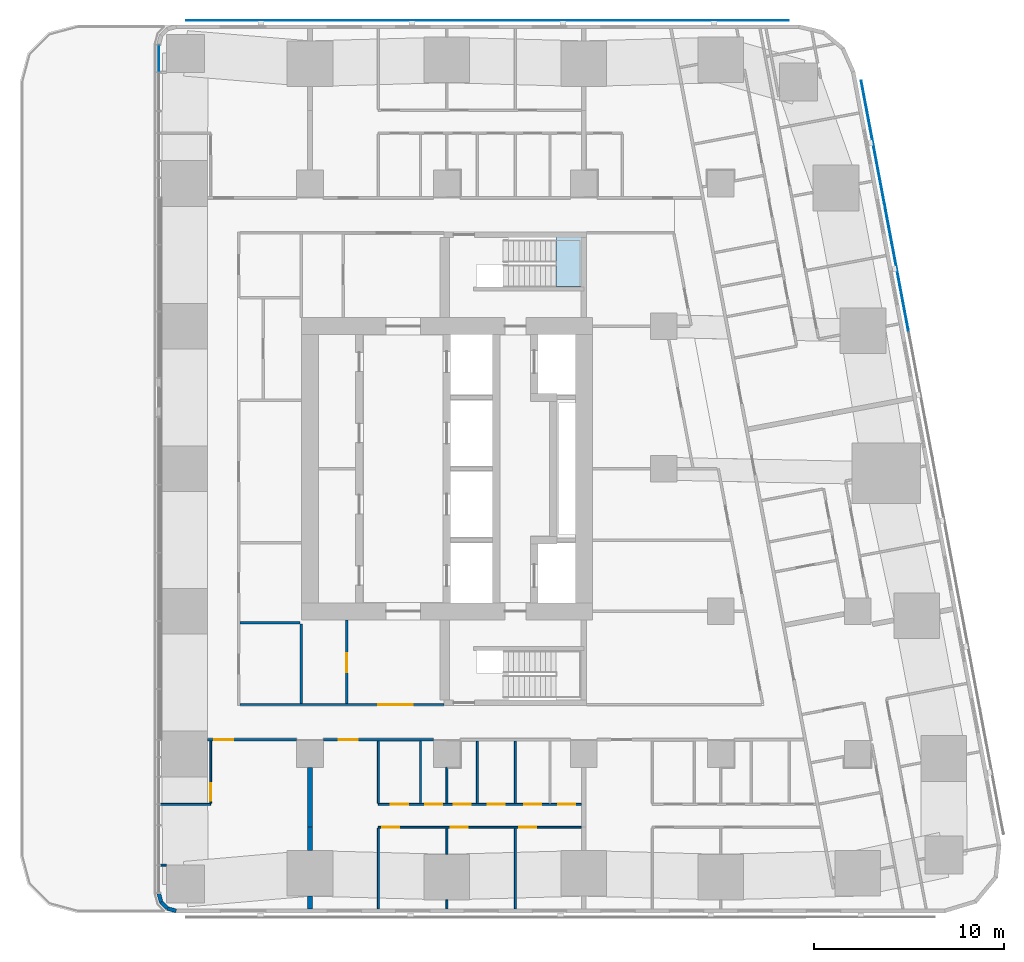
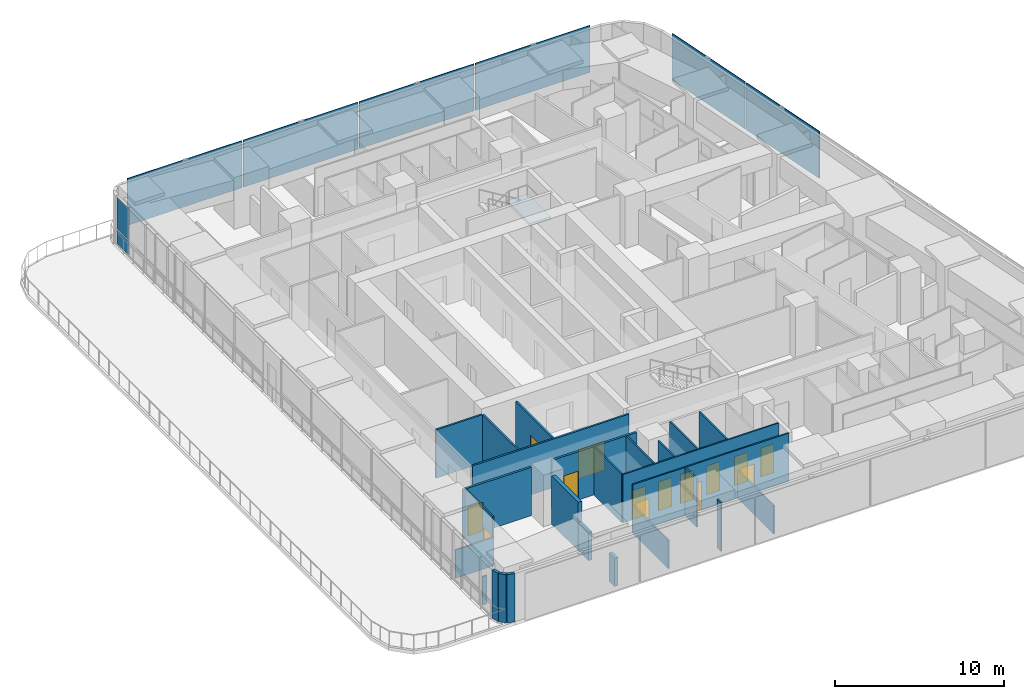
# One storey, part 7 of 17: 26 walls, 14 doors, 8 plates, 1 slab, 14 openings, 2 elements without a shape of their own.
"""IFC4 building model written with IfcOpenShell, lengths in metres."""

import ifcopenshell
import ifcopenshell.guid

model = None  # the IFC model being written
_history = None  # IfcOwnerHistory: only IFC2X3 demands one
_inside = {}  # id of a spatial element -> (the spatial element, [elements in it])
_under = {}  # id of a project, library or spatial element -> (it, [spatial elements below it])
_declared = {}  # id of a project -> (the project, [libraries it declares])
_typed = {}  # id of a type object -> (the type object, [elements of that type])
_made_of = {}  # id of a material, layer set ... -> (it, [elements and type objects made of it])


def new_model(schema):
    """Start an empty IFC model of exactly this schema.

    Asked for "IFC4X3", IfcOpenShell would pick the latest addendum, in which some entities
    have other attributes; the version numbers below select the first issue.
    IFC2X3 requires an IfcOwnerHistory on every rooted entity: one is made here for all.
    """
    global model, _history
    if schema == "IFC4X3":
        model = ifcopenshell.file(schema_version=(4, 3, 0, 0))
    else:
        model = ifcopenshell.file(schema=schema)
    _inside.clear()
    _under.clear()
    _declared.clear()
    _typed.clear()
    _made_of.clear()
    _history = None
    if model.schema == "IFC2X3":
        org = make("IfcOrganization", Name="unknown")
        user = make(
            "IfcPersonAndOrganization",
            ThePerson=make("IfcPerson", FamilyName="unknown"),
            TheOrganization=org,
        )
        app = make(
            "IfcApplication",
            ApplicationDeveloper=org,
            Version="unknown",
            ApplicationFullName="unknown",
            ApplicationIdentifier="unknown",
        )
        _history = make(
            "IfcOwnerHistory",
            OwningUser=user,
            OwningApplication=app,
            ChangeAction="ADDED",
            CreationDate=0,
        )
    return model


def make(cls, **values):
    """One entity of the class cls with the attributes given. An attribute that is None is left unset."""
    return model.create_entity(
        cls, **{name: value for name, value in values.items() if value is not None}
    )


def rooted(cls, **values):
    """An entity with a GlobalId (a new one), such as an element, a storey or a relation."""
    return make(cls, GlobalId=ifcopenshell.guid.new(), OwnerHistory=_history, **values)


def si_unit(unit_type, name, prefix=None):
    """IfcSIUnit, for example si_unit("LENGTHUNIT", "METRE", prefix="MILLI")."""
    return make("IfcSIUnit", UnitType=unit_type, Prefix=prefix, Name=name)


def assignment(units):
    """IfcUnitAssignment: the units of a project."""
    return None if units is None else make("IfcUnitAssignment", Units=units)


def point(xyz):
    """IfcCartesianPoint."""
    return None if xyz is None else make("IfcCartesianPoint", Coordinates=xyz)


def direction(xyz):
    """IfcDirection."""
    return None if xyz is None else make("IfcDirection", DirectionRatios=xyz)


def frame(location, z_axis=None, x_axis=None):
    """IfcAxis2Placement3D, a coordinate frame: its origin and axes. An axis left out is left unset."""
    return make(
        "IfcAxis2Placement3D",
        Location=point(location),
        Axis=direction(z_axis),
        RefDirection=direction(x_axis),
    )


def frame_2d(location, x_axis=None):
    """IfcAxis2Placement2D, a coordinate frame in the plane: its origin and x axis."""
    return make(
        "IfcAxis2Placement2D", Location=point(location), RefDirection=direction(x_axis)
    )


def origin():
    """The frame at (0, 0, 0) with its axes left unset."""
    return frame((0.0, 0.0, 0.0))


def origin_2d():
    """The frame at (0, 0) in the plane with its x axis left unset."""
    return frame_2d((0.0, 0.0))


def place(relative_to, where):
    """IfcLocalPlacement: puts the frame where relative to a parent placement (None: the world)."""
    return make(
        "IfcLocalPlacement", PlacementRelTo=relative_to, RelativePlacement=where
    )


def context(
    kind, dimensions, precision=None, world=None, true_north=None, identifier=None
):
    """IfcGeometricRepresentationContext, for example the 3D "Model" context."""
    return make(
        "IfcGeometricRepresentationContext",
        ContextIdentifier=identifier,
        ContextType=kind,
        CoordinateSpaceDimension=dimensions,
        Precision=precision,
        WorldCoordinateSystem=world,
        TrueNorth=true_north,
    )


def subcontext(parent, identifier, kind, view, scale=None):
    """IfcGeometricRepresentationSubContext, for example "Body" below "Model"."""
    return make(
        "IfcGeometricRepresentationSubContext",
        ContextIdentifier=identifier,
        ContextType=kind,
        ParentContext=parent,
        TargetScale=scale,
        TargetView=view,
    )


def project(units=None, contexts=None):
    """IfcProject with its units and contexts."""
    return rooted(
        "IfcProject",
        Name="project",
        RepresentationContexts=contexts,
        UnitsInContext=assignment(units),
    )


def spatial(cls, under=None, at=None, **own):
    """A site, building, storey or space (cls), placed at a placement, below another one or the project."""
    s = rooted(cls, ObjectPlacement=at, **own)
    if under is not None:
        _under.setdefault(under.id(), (under, []))[1].append(s)
    return s


def polyline(points):
    """IfcPolyline through the points."""
    return make("IfcPolyline", Points=[point(p) for p in points])


def profile(cls, at=None, kind="AREA", **sizes):
    """A parametric profile (cls). Its sizes go by their IFC names, for example OverallWidth=200.0."""
    return make(cls, ProfileType=kind, Position=at, **sizes)


def rectangle(**sizes):
    """IfcRectangleProfileDef."""
    return profile("IfcRectangleProfileDef", **sizes)


def outline(outer, holes=None, kind="AREA"):
    """IfcArbitraryClosedProfileDef: a profile drawn as a closed curve; with holes, ...WithVoids."""
    if holes is None:
        return make("IfcArbitraryClosedProfileDef", ProfileType=kind, OuterCurve=outer)
    return make(
        "IfcArbitraryProfileDefWithVoids",
        ProfileType=kind,
        OuterCurve=outer,
        InnerCurves=holes,
    )


def extrude(swept, where, along, depth):
    """IfcExtrudedAreaSolid: the profile swept, set in the frame where, extruded along a direction by depth."""
    return make(
        "IfcExtrudedAreaSolid",
        SweptArea=swept,
        Position=where,
        ExtrudedDirection=direction(along),
        Depth=depth,
    )


def shape(context_of_items, identifier, shape_type, items):
    """IfcShapeRepresentation: the items that make up one representation, for example the "Body"."""
    return make(
        "IfcShapeRepresentation",
        ContextOfItems=context_of_items,
        RepresentationIdentifier=identifier,
        RepresentationType=shape_type,
        Items=items,
    )


def material(Name=None, Category=None):
    """IfcMaterial."""
    return make("IfcMaterial", Name=Name, Category=Category)


def layer(
    of_material, thickness, ventilated=None, Name=None, Category=None, Priority=None
):
    """IfcMaterialLayer: one layer of a wall or slab, of a material (None: an air gap)."""
    return make(
        "IfcMaterialLayer",
        Material=of_material,
        LayerThickness=thickness,
        IsVentilated=ventilated,
        Name=Name,
        Category=Category,
        Priority=Priority,
    )


def layer_set(layers, Name=None):
    """IfcMaterialLayerSet."""
    return make("IfcMaterialLayerSet", MaterialLayers=layers, LayerSetName=Name)


def made_of(thing, what):
    """Note that an element or type object is made of a material, layer set ...; save() writes the relation."""
    if what is not None:
        _made_of.setdefault(what.id(), (what, []))[1].append(thing)
    return thing


def type_object(cls, material=None, **own):
    """A type object (cls), such as IfcWallType, which elements share."""
    return made_of(rooted(cls, **own), material)


def element(
    cls,
    number,
    at=None,
    inside=None,
    cuts=None,
    type_object=None,
    material=None,
    context=None,
    identifier="Body",
    shape_type=None,
    held_by="IfcProductDefinitionShape",
    body=None,
    shapes=None,
    **own,
):
    """One element of the class cls, such as IfcWall. Its Tag is "e" and its number.

    at: its placement. inside: the storey or other place that contains it. cuts: it is an
    opening in that element (IfcRelVoidsElement). A single representation is given by context,
    identifier, shape_type and body (its items); several are given by shapes. held_by: the class
    of the entity that holds the representations. save() writes the other relations.
    """
    e = rooted(cls, Tag="e%d" % number, ObjectPlacement=at, **own)
    if body is not None:
        shapes = [shape(context, identifier, shape_type, body)]
    if shapes is not None:
        e.Representation = make(held_by, Representations=shapes)
    if inside is not None:
        _inside.setdefault(inside.id(), (inside, []))[1].append(e)
    if cuts is not None:
        rooted(
            "IfcRelVoidsElement", RelatingBuildingElement=cuts, RelatedOpeningElement=e
        )
    if type_object is not None:
        _typed.setdefault(type_object.id(), (type_object, []))[1].append(e)
    return made_of(e, material)


def fill(opening, filler):
    """IfcRelFillsElement: the door or window that sits in an opening."""
    return rooted(
        "IfcRelFillsElement",
        RelatingOpeningElement=opening,
        RelatedBuildingElement=filler,
    )


def aggregate(whole, parts):
    """IfcRelAggregates: a whole, such as a stair, and the parts it consists of."""
    return rooted("IfcRelAggregates", RelatingObject=whole, RelatedObjects=parts)


def save(model, path):
    """Write the relations noted so far, then the file.

    IfcRelAggregates (storeys below a building ...), IfcRelContainedInSpatialStructure (elements
    in a storey), IfcRelDefinesByType, IfcRelAssociatesMaterial and IfcRelDeclares: one each for
    every whole, place, type object, material and project.
    """
    for whole, parts in _under.values():
        aggregate(whole, parts)
    for where, things in _inside.values():
        rooted(
            "IfcRelContainedInSpatialStructure",
            RelatedElements=things,
            RelatingStructure=where,
        )
    for kind, things in _typed.values():
        rooted("IfcRelDefinesByType", RelatedObjects=things, RelatingType=kind)
    for what, things in _made_of.values():
        rooted("IfcRelAssociatesMaterial", RelatedObjects=things, RelatingMaterial=what)
    for by, libraries in _declared.values():
        rooted("IfcRelDeclares", RelatingContext=by, RelatedDefinitions=libraries)
    model.write(path)


model = new_model("IFC4")

# Units and contexts
model_context = context("Model", 3, precision=1e-05, world=origin(), true_north=direction((0.0, 1.0)))
body_context = subcontext(model_context, "Body", "Model", "MODEL_VIEW")
ifc_project = project(units=[si_unit("LENGTHUNIT", "METRE"), si_unit("AREAUNIT", "SQUARE_METRE"), si_unit("VOLUMEUNIT", "CUBIC_METRE"), si_unit("PLANEANGLEUNIT", "RADIAN"), si_unit("MASSUNIT", "GRAM", prefix="KILO")], contexts=[model_context])

# Site, building, storey
site_placement = place(None, origin())
site = spatial("IfcSite", under=ifc_project, at=site_placement, CompositionType="ELEMENT")
building_placement = place(site_placement, origin())
building = spatial("IfcBuilding", under=site, at=building_placement, Name="Sheger Commons Tower", CompositionType="ELEMENT")
storey_placement = place(building_placement, frame((0.0, 0.0, 193.699951171875)))
storey = spatial("IfcBuildingStorey", under=building, at=storey_placement, Name="L49", CompositionType="ELEMENT", Elevation=193.699951171875)

# Curtain wall, plates
ifc_material_1 = material(Name="Black aluminium curtain wall, dark tinted glazing", Category="aluminium")
curtain_wall_type = type_object("IfcCurtainWallType", Name="CURTAIN WALL CW4 GALLERY", PredefinedType="USERDEFINED", material=ifc_material_1)
curtain_wall_placement = place(storey_placement, origin())
curtain_wall = element("IfcCurtainWall", 1, at=curtain_wall_placement, inside=storey, type_object=curtain_wall_type, Name="Curtain Wall Cw4 Gallery W1 L49", ObjectType="UNITISED CURTAIN WALL", PredefinedType="USERDEFINED")
ifc_material_2 = material(Name="Dark tinted double glazing", Category="glass")
ifc_layer_1 = layer(ifc_material_2, 0.031982421875)
ifc_layer_set_1 = layer_set([ifc_layer_1], Name="GLAZED PANEL 32")
plate_type_1 = type_object("IfcPlateType", Name="GLAZED PANEL 32", PredefinedType="CURTAIN_PANEL", material=ifc_layer_set_1)
plate_1_placement = place(storey_placement, frame((6.449951171875, 44.0751953125, 0.065185546875), z_axis=(0.0, 0.0, 1.0), x_axis=(0.0, -1.0, 0.0)))
plate_1 = element("IfcPlate", 2, at=plate_1_placement, type_object=plate_type_1, Name="CW4 panel 1.1", PredefinedType="CURTAIN_PANEL", context=body_context, shape_type="SweptSolid", body=[
    extrude(rectangle(XDim=1.3935546875, YDim=0.031982421875, at=origin_2d()), origin(), (0.0, 0.0, 1.0), 1.00244140625),
])
plate_2_placement = place(storey_placement, frame((6.449951171875, 44.0751953125, 1.13232421875), z_axis=(0.0, 0.0, 1.0), x_axis=(0.0, -1.0, 0.0)))
plate_2 = element("IfcPlate", 3, at=plate_2_placement, type_object=plate_type_1, Name="CW4 panel 1.2", PredefinedType="CURTAIN_PANEL", context=body_context, shape_type="SweptSolid", body=[
    extrude(rectangle(XDim=1.3935546875, YDim=0.031982421875, at=origin_2d()), origin(), (0.0, 0.0, 1.0), 2.302490234375),
])
aggregate(curtain_wall, [plate_1, plate_2])

# Plates
ifc_material_3 = material(Name="Perforated black anodised aluminium screen", Category="aluminium")
ifc_layer_2 = layer(ifc_material_3, 0.050048828125)
ifc_layer_set_2 = layer_set([ifc_layer_2], Name="SOLAR SCREEN SCREEN-1")
plate_type_2 = type_object("IfcPlateType", Name="SOLAR SCREEN SCREEN-1", PredefinedType="USERDEFINED", material=ifc_layer_set_2)
for number, where, z_axis, x_axis, name in (
    (4, (45.2548828125, 33.028076171875, 0.050048828125), (0.0, 0.0, 1.0), (-0.185615165645, 0.982622516678, 0.0), "Perforated solar screen panel"),
    (5, (44.0048828125, 39.64794921875, 0.050048828125), (0.0, 0.0, 1.0), (-0.185615165645, 0.982622516678, 0.0), "Perforated solar screen panel"),
):
    element("IfcPlate", number, at=place(storey_placement, frame(where, z_axis=z_axis, x_axis=x_axis)), inside=storey, type_object=plate_type_2, Name=name, ObjectType="SCREEN", PredefinedType="USERDEFINED", context=body_context, shape_type="SweptSolid", body=[
        extrude(rectangle(XDim=6.636962890625, YDim=0.050048828125, at=origin_2d()), origin(), (0.0, 0.0, 1.0), 3.39990234375),
    ])
for number, where, z_axis, x_axis, name in (
    (6, (35.64697265625, 46.074951171875, 0.050048828125), (0.0, 0.0, 1.0), (-1.0, 0.0, 0.0), "Perforated solar screen panel"),
    (7, (27.705078125, 46.074951171875, 0.050048828125), (0.0, 0.0, 1.0), (-1.0, 0.0, 0.0), "Perforated solar screen panel"),
    (8, (19.762939453125, 46.074951171875, 0.050048828125), (0.0, 0.0, 1.0), (-1.0, 0.0, 0.0), "Perforated solar screen panel"),
    (9, (11.821044921875, 46.074951171875, 0.050048828125), (0.0, 0.0, 1.0), (-1.0, 0.0, 0.0), "Perforated solar screen panel"),
):
    element("IfcPlate", number, at=place(storey_placement, frame(where, z_axis=z_axis, x_axis=x_axis)), inside=storey, type_object=plate_type_2, Name=name, ObjectType="SCREEN", PredefinedType="USERDEFINED", context=body_context, shape_type="SweptSolid", body=[
        extrude(rectangle(XDim=7.842041015625, YDim=0.050048828125, at=origin_2d()), origin(), (0.0, 0.0, 1.0), 3.39990234375),
    ])

# Stair, slab
ifc_material_4 = material(Name="Concrete C35/45", Category="concrete")
stair_type = type_object("IfcStairType", Name="HALF-TURN STAIR 1200 RISE 3750", PredefinedType="HALF_TURN_STAIR", material=ifc_material_4)
stair_placement = place(storey_placement, origin())
stair = element("IfcStair", 10, at=stair_placement, inside=storey, type_object=stair_type, Name="Stair S2 L49", PredefinedType="HALF_TURN_STAIR")
ifc_material_5 = material(Name="Concrete C35/45", Category="concrete")
ifc_layer_3 = layer(ifc_material_5, 0.199951171875)
ifc_layer_set_3 = layer_set([ifc_layer_3], Name="STAIR LANDING 200")
slab_type = type_object("IfcSlabType", Name="STAIR LANDING 200", PredefinedType="LANDING", material=ifc_layer_set_3)
slab_placement = place(storey_placement, frame((0.0, 0.0, 1.675048828125)))
slab = element("IfcSlab", 11, at=slab_placement, type_object=slab_type, Name="S2 landing 1", PredefinedType="LANDING", context=body_context, shape_type="SweptSolid", body=[
    extrude(outline(polyline([(27.35009765625, 32.050048828125), (28.800048828125, 32.050048828125), (28.800048828125, 34.800048828125), (27.35009765625, 34.800048828125), (27.35009765625, 32.050048828125)])), origin(), (0.0, 0.0, 1.0), 0.199951171875),
])
aggregate(stair, [slab])

# Wall, opening, door
ifc_material_6 = material(Name="Hollow concrete block masonry, skimmed both sides", Category="masonry")
ifc_layer_4 = layer(ifc_material_6, 0.14990234375)
ifc_layer_set_4 = layer_set([ifc_layer_4], Name="CORRIDOR WALL 150")
wall_type_1 = type_object("IfcWallType", Name="CORRIDOR WALL 150", PredefinedType="SOLIDWALL", material=ifc_layer_set_4)
wall_1_placement = place(storey_placement, frame((20.89892578125, 8.25, 0.0), z_axis=(0.0, 0.0, 1.0), x_axis=(-1.0, 0.0, 0.0)))
wall_1 = element("IfcWall", 12, at=wall_1_placement, inside=storey, type_object=wall_type_1, Name="Corridor wall L49", PredefinedType="SOLIDWALL", context=body_context, shape_type="SweptSolid", body=[
    extrude(rectangle(XDim=5.7978515625, YDim=0.14990234375, at=frame_2d((2.89892578125, 0.0))), origin(), (0.0, 0.0, 1.0), 3.5),
])
opening_1_placement = place(wall_1_placement, frame((3.9990234375, 0.0, 0.0)))
opening_1 = element("IfcOpeningElement", 13, at=opening_1_placement, cuts=wall_1, Name="Opening D1", PredefinedType="OPENING", context=body_context, shape_type="SweptSolid", body=[
    extrude(rectangle(XDim=1.0, YDim=2.10009765625, at=frame_2d((0.5, 1.050048828125))), frame((0.0, 0.0849609375, 0.0), z_axis=(0.0, -1.0, 0.0), x_axis=(1.0, 0.0, 0.0)), (0.0, 0.0, 1.0), 0.169921875),
])
ifc_material_7 = material(Name="Steel door set, fire rated", Category="steel")
door_type_1 = type_object("IfcDoorType", Name="FLAT ENTRANCE DOOR 1000x2100", OperationType="NOTDEFINED", PredefinedType="DOOR", material=ifc_material_7)
door_1_placement = place(opening_1_placement, origin())
door_1 = element("IfcDoor", 14, at=door_1_placement, inside=storey, type_object=door_type_1, Name="Flat entrance door", OperationType="SINGLE_SWING_RIGHT", OverallHeight=2.10009765625, OverallWidth=1.0, PredefinedType="DOOR", context=body_context, shape_type="SweptSolid", body=[
    extrude(rectangle(XDim=1.0, YDim=2.10009765625, at=frame_2d((0.5, 1.050048828125))), frame((0.0, 0.02490234375, 0.0), z_axis=(0.0, -1.0, 0.0), x_axis=(1.0, 0.0, 0.0)), (0.0, 0.0, 1.0), 0.050048828125),
])
fill(opening_1, door_1)

wall_2_placement = place(storey_placement, frame((13.698974609375, 8.25, 0.0), z_axis=(0.0, 0.0, 1.0), x_axis=(-1.0, 0.0, 0.0)))
wall_2 = element("IfcWall", 15, at=wall_2_placement, inside=storey, type_object=wall_type_1, Name="Corridor wall L49", PredefinedType="SOLIDWALL", context=body_context, shape_type="SweptSolid", body=[
    extrude(rectangle(XDim=4.697998046875, YDim=0.14990234375, at=frame_2d((2.34912109375, 0.0))), origin(), (0.0, 0.0, 1.0), 3.5),
])
opening_2_placement = place(wall_2_placement, frame((3.344970703125, 0.0, 0.0)))
opening_2 = element("IfcOpeningElement", 16, at=opening_2_placement, cuts=wall_2, Name="Opening D1", PredefinedType="OPENING", context=body_context, shape_type="SweptSolid", body=[
    extrude(rectangle(XDim=1.0, YDim=2.10009765625, at=frame_2d((0.5, 1.050048828125))), frame((0.0, 0.0849609375, 0.0), z_axis=(0.0, -1.0, 0.0), x_axis=(1.0, 0.0, 0.0)), (0.0, 0.0, 1.0), 0.169921875),
])
door_2_placement = place(opening_2_placement, origin())
door_2 = element("IfcDoor", 17, at=door_2_placement, inside=storey, type_object=door_type_1, Name="Flat entrance door", OperationType="SINGLE_SWING_RIGHT", OverallHeight=2.10009765625, OverallWidth=1.0, PredefinedType="DOOR", context=body_context, shape_type="SweptSolid", body=[
    extrude(rectangle(XDim=1.0, YDim=2.10009765625, at=frame_2d((0.5, 1.050048828125))), frame((0.0, 0.02490234375, 0.0), z_axis=(0.0, -1.0, 0.0), x_axis=(1.0, 0.0, 0.0)), (0.0, 0.0, 1.0), 0.050048828125),
])
fill(opening_2, door_2)

# Walls
ifc_material_8 = material(Name="Dense concrete block masonry, plastered both sides (separating wall between flats)", Category="masonry")
ifc_layer_5 = layer(ifc_material_8, 0.25)
ifc_layer_set_5 = layer_set([ifc_layer_5], Name="DEMISING WALL 250")
wall_type_2 = type_object("IfcWallType", Name="DEMISING WALL 250", PredefinedType="SOLIDWALL", material=ifc_layer_set_5)
wall_3_placement = place(storey_placement, frame((14.39990234375, -0.64990234375, 0.0), z_axis=(0.0, 0.0, 1.0), x_axis=(0.0, 1.0, 0.0)))
element("IfcWall", 18, at=wall_3_placement, inside=storey, type_object=wall_type_2, Name="Demising wall L49", PredefinedType="SOLIDWALL", context=body_context, shape_type="SweptSolid", body=[
    extrude(rectangle(XDim=0.673828125, YDim=0.25, at=frame_2d((0.3369140625, 0.0))), origin(), (0.0, 0.0, 1.0), 2.050048828125),
])
wall_4_placement = place(storey_placement, frame((14.39990234375, 2.426025390625, 0.0), z_axis=(0.0, 0.0, 1.0), x_axis=(0.0, 1.0, 0.0)))
element("IfcWall", 19, at=wall_4_placement, inside=storey, type_object=wall_type_2, Name="Demising wall L49", PredefinedType="SOLIDWALL", context=body_context, shape_type="SweptSolid", body=[
    extrude(rectangle(XDim=1.223876953125, YDim=0.25, at=frame_2d((0.61181640625, 0.0))), origin(), (0.0, 0.0, 1.0), 2.050048828125),
])
wall_5_placement = place(storey_placement, frame((14.39990234375, 3.64990234375, 0.0), z_axis=(0.0, 0.0, 1.0), x_axis=(0.0, 1.0, 0.0)))
element("IfcWall", 20, at=wall_5_placement, inside=storey, type_object=wall_type_2, Name="Demising wall L49", PredefinedType="SOLIDWALL", context=body_context, shape_type="SweptSolid", body=[
    extrude(rectangle(XDim=3.149169921875, YDim=0.25, at=frame_2d((1.57470703125, 0.0))), origin(), (0.0, 0.0, 1.0), 3.5),
])
ifc_material_9 = material(Name="Rendered concrete block masonry, dark grey", Category="masonry")
ifc_layer_6 = layer(ifc_material_9, 0.199951171875)
ifc_layer_set_6 = layer_set([ifc_layer_6], Name="FACADE WALL 200")
wall_type_3 = type_object("IfcWallType", Name="FACADE WALL 200", PredefinedType="SOLIDWALL", material=ifc_layer_set_6)
wall_6_placement = place(storey_placement, frame((6.449951171875, 0.1630859375, 0.0), z_axis=(0.0, 0.0, 1.0), x_axis=(0.259698463175, -0.965689757751, 0.0)))
element("IfcWall", 21, at=wall_6_placement, inside=storey, type_object=wall_type_3, Name="Facade wall L49", PredefinedType="SOLIDWALL", context=body_context, shape_type="SweptSolid", body=[
    extrude(rectangle(XDim=0.4775390625, YDim=0.199951171875, at=frame_2d((0.23876953125, 0.0))), origin(), (0.0, 0.0, 1.0), 3.5),
])
wall_7_placement = place(storey_placement, frame((6.573974609375, -0.298095703125, 0.0), z_axis=(0.0, 0.0, 1.0), x_axis=(0.707369890659, -0.706843573776, 0.0)))
element("IfcWall", 22, at=wall_7_placement, inside=storey, type_object=wall_type_3, Name="Facade wall L49", PredefinedType="SOLIDWALL", context=body_context, shape_type="SweptSolid", body=[
    extrude(rectangle(XDim=0.4638671875, YDim=0.199951171875, at=frame_2d((0.23193359375, 0.0))), origin(), (0.0, 0.0, 1.0), 3.5),
])
wall_8_placement = place(storey_placement, frame((6.902099609375, -0.6259765625, 0.0), z_axis=(0.0, 0.0, 1.0), x_axis=(0.965655254015, -0.259826731483, 0.0)))
element("IfcWall", 23, at=wall_8_placement, inside=storey, type_object=wall_type_3, Name="Facade wall L49", PredefinedType="SOLIDWALL", context=body_context, shape_type="SweptSolid", body=[
    extrude(rectangle(XDim=0.477294921875, YDim=0.199951171875, at=frame_2d((0.23876953125, 0.0))), origin(), (0.0, 0.0, 1.0), 3.5),
])
ifc_material_10 = material(Name="Gypsum board on steel studs", Category="steel")
ifc_layer_7 = layer(ifc_material_10, 0.10009765625)
ifc_layer_set_7 = layer_set([ifc_layer_7], Name="PARTITION 100")
wall_type_4 = type_object("IfcWallType", Name="PARTITION 100", PredefinedType="PARTITIONING", material=ifc_layer_set_7)
wall_9_placement = place(storey_placement, frame((6.550048828125, 1.654052734375, 0.0), z_axis=(0.0, 0.0, 1.0), x_axis=(1.0, 0.0, 0.0)))
element("IfcWall", 24, at=wall_9_placement, inside=storey, type_object=wall_type_4, Name="Partition L49", PredefinedType="PARTITIONING", context=body_context, shape_type="SweptSolid", body=[
    extrude(rectangle(XDim=0.303955078125, YDim=0.10009765625, at=frame_2d((0.15185546875, 0.0))), origin(), (0.0, 0.0, 1.0), 2.050048828125),
])
wall_10_placement = place(storey_placement, frame((9.178955078125, 4.85009765625, 0.0), z_axis=(0.0, 0.0, 1.0), x_axis=(-1.0, 0.0, 0.0)))
element("IfcWall", 25, at=wall_10_placement, inside=storey, type_object=wall_type_4, Name="Partition L49", PredefinedType="PARTITIONING", context=body_context, shape_type="SweptSolid", body=[
    extrude(rectangle(XDim=2.62890625, YDim=0.10009765625, at=frame_2d((1.314453125, 0.0))), origin(), (0.0, 0.0, 1.0), 2.050048828125),
])

# Wall, opening, door
wall_11_placement = place(storey_placement, frame((9.178955078125, 4.89990234375, 0.0), z_axis=(0.0, 0.0, 1.0), x_axis=(0.0, 1.0, 0.0)))
wall_11 = element("IfcWall", 26, at=wall_11_placement, inside=storey, type_object=wall_type_4, Name="Partition L49", PredefinedType="PARTITIONING", context=body_context, shape_type="SweptSolid", body=[
    extrude(rectangle(XDim=3.275146484375, YDim=0.10009765625, at=frame_2d((1.6376953125, 0.0))), origin(), (0.0, 0.0, 1.0), 3.5),
])
opening_3_placement = place(wall_11_placement, frame((0.14990234375, 0.0, 0.0)))
opening_3 = element("IfcOpeningElement", 27, at=opening_3_placement, cuts=wall_11, Name="Opening D2", PredefinedType="OPENING", context=body_context, shape_type="SweptSolid", body=[
    extrude(rectangle(XDim=0.89990234375, YDim=2.10009765625, at=frame_2d((0.449951171875, 1.050048828125))), frame((0.0, 0.06005859375, 0.0), z_axis=(0.0, -1.0, 0.0), x_axis=(1.0, 0.0, 0.0)), (0.0, 0.0, 1.0), 0.1201171875),
])
ifc_material_11 = material(Name="Timber door set", Category="wood")
door_type_2 = type_object("IfcDoorType", Name="INTERNAL DOOR 900x2100", OperationType="NOTDEFINED", PredefinedType="DOOR", material=ifc_material_11)
door_3_placement = place(opening_3_placement, origin())
door_3 = element("IfcDoor", 28, at=door_3_placement, inside=storey, type_object=door_type_2, Name="Shower room door", OperationType="SINGLE_SWING_LEFT", OverallHeight=2.10009765625, OverallWidth=0.89990234375, PredefinedType="DOOR", context=body_context, shape_type="SweptSolid", body=[
    extrude(rectangle(XDim=0.89990234375, YDim=2.10009765625, at=frame_2d((0.449951171875, 1.050048828125))), frame((0.0, 0.02490234375, 0.0), z_axis=(0.0, -1.0, 0.0), x_axis=(1.0, 0.0, 0.0)), (0.0, 0.0, 1.0), 0.050048828125),
])
fill(opening_3, door_3)

# Wall, openings, doors
wall_12_placement = place(storey_placement, frame((28.675048828125, 3.64990234375, 0.0), z_axis=(0.0, 0.0, 1.0), x_axis=(-1.0, 0.0, 0.0)))
wall_12 = element("IfcWall", 29, at=wall_12_placement, inside=storey, type_object=wall_type_4, Name="Partition L49", PredefinedType="PARTITIONING", context=body_context, shape_type="SweptSolid", body=[
    extrude(rectangle(XDim=10.675048828125, YDim=0.10009765625, at=frame_2d((5.33740234375, 0.0))), origin(), (0.0, 0.0, 1.0), 3.5),
])
opening_4_placement = place(wall_12_placement, frame((9.574951171875, 0.0, 0.0)))
opening_4 = element("IfcOpeningElement", 30, at=opening_4_placement, cuts=wall_12, Name="Opening D2", PredefinedType="OPENING", context=body_context, shape_type="SweptSolid", body=[
    extrude(rectangle(XDim=0.89990234375, YDim=2.10009765625, at=frame_2d((0.449951171875, 1.050048828125))), frame((0.0, 0.06005859375, 0.0), z_axis=(0.0, -1.0, 0.0), x_axis=(1.0, 0.0, 0.0)), (0.0, 0.0, 1.0), 0.1201171875),
])
opening_5_placement = place(wall_12_placement, frame((5.97509765625, 0.0, 0.0)))
opening_5 = element("IfcOpeningElement", 31, at=opening_5_placement, cuts=wall_12, Name="Opening D2", PredefinedType="OPENING", context=body_context, shape_type="SweptSolid", body=[
    extrude(rectangle(XDim=0.89990234375, YDim=2.10009765625, at=frame_2d((0.449951171875, 1.050048828125))), frame((0.0, 0.06005859375, 0.0), z_axis=(0.0, -1.0, 0.0), x_axis=(1.0, 0.0, 0.0)), (0.0, 0.0, 1.0), 0.1201171875),
])
opening_6_placement = place(wall_12_placement, frame((2.375, 0.0, 0.0)))
opening_6 = element("IfcOpeningElement", 32, at=opening_6_placement, cuts=wall_12, Name="Opening D2", PredefinedType="OPENING", context=body_context, shape_type="SweptSolid", body=[
    extrude(rectangle(XDim=0.89990234375, YDim=2.10009765625, at=frame_2d((0.449951171875, 1.050048828125))), frame((0.0, 0.06005859375, 0.0), z_axis=(0.0, -1.0, 0.0), x_axis=(1.0, 0.0, 0.0)), (0.0, 0.0, 1.0), 0.1201171875),
])
door_4_placement = place(opening_4_placement, origin())
door_4 = element("IfcDoor", 33, at=door_4_placement, inside=storey, type_object=door_type_2, Name="Main bedroom door", OperationType="SINGLE_SWING_RIGHT", OverallHeight=2.10009765625, OverallWidth=0.89990234375, PredefinedType="DOOR", context=body_context, shape_type="SweptSolid", body=[
    extrude(rectangle(XDim=0.89990234375, YDim=2.10009765625, at=frame_2d((0.449951171875, 1.050048828125))), frame((0.0, 0.02490234375, 0.0), z_axis=(0.0, -1.0, 0.0), x_axis=(1.0, 0.0, 0.0)), (0.0, 0.0, 1.0), 0.050048828125),
])
fill(opening_4, door_4)
door_5_placement = place(opening_5_placement, origin())
door_5 = element("IfcDoor", 34, at=door_5_placement, inside=storey, type_object=door_type_2, Name="Bedroom 2 door", OperationType="SINGLE_SWING_RIGHT", OverallHeight=2.10009765625, OverallWidth=0.89990234375, PredefinedType="DOOR", context=body_context, shape_type="SweptSolid", body=[
    extrude(rectangle(XDim=0.89990234375, YDim=2.10009765625, at=frame_2d((0.449951171875, 1.050048828125))), frame((0.0, 0.02490234375, 0.0), z_axis=(0.0, -1.0, 0.0), x_axis=(1.0, 0.0, 0.0)), (0.0, 0.0, 1.0), 0.050048828125),
])
fill(opening_5, door_5)
door_6_placement = place(opening_6_placement, origin())
door_6 = element("IfcDoor", 35, at=door_6_placement, inside=storey, type_object=door_type_2, Name="Bedroom 3 door", OperationType="SINGLE_SWING_RIGHT", OverallHeight=2.10009765625, OverallWidth=0.89990234375, PredefinedType="DOOR", context=body_context, shape_type="SweptSolid", body=[
    extrude(rectangle(XDim=0.89990234375, YDim=2.10009765625, at=frame_2d((0.449951171875, 1.050048828125))), frame((0.0, 0.02490234375, 0.0), z_axis=(0.0, -1.0, 0.0), x_axis=(1.0, 0.0, 0.0)), (0.0, 0.0, 1.0), 0.050048828125),
])
fill(opening_6, door_6)

wall_13_placement = place(storey_placement, frame((28.675048828125, 4.85009765625, 0.0), z_axis=(0.0, 0.0, 1.0), x_axis=(-1.0, 0.0, 0.0)))
wall_13 = element("IfcWall", 36, at=wall_13_placement, inside=storey, type_object=wall_type_4, Name="Partition L49", PredefinedType="PARTITIONING", context=body_context, shape_type="SweptSolid", body=[
    extrude(rectangle(XDim=10.675048828125, YDim=0.10009765625, at=frame_2d((5.33740234375, 0.0))), origin(), (0.0, 0.0, 1.0), 3.5),
])
opening_7_placement = place(wall_13_placement, frame((9.1201171875, 0.0, 0.0)))
opening_7 = element("IfcOpeningElement", 37, at=opening_7_placement, cuts=wall_13, Name="Opening D2", PredefinedType="OPENING", context=body_context, shape_type="SweptSolid", body=[
    extrude(rectangle(XDim=0.89990234375, YDim=2.10009765625, at=frame_2d((0.449951171875, 1.050048828125))), frame((0.0, 0.06005859375, 0.0), z_axis=(0.0, -1.0, 0.0), x_axis=(1.0, 0.0, 0.0)), (0.0, 0.0, 1.0), 0.1201171875),
])
opening_8_placement = place(wall_13_placement, frame((5.824951171875, 0.0, 0.0)))
opening_8 = element("IfcOpeningElement", 38, at=opening_8_placement, cuts=wall_13, Name="Opening D2", PredefinedType="OPENING", context=body_context, shape_type="SweptSolid", body=[
    extrude(rectangle(XDim=0.89990234375, YDim=2.10009765625, at=frame_2d((0.449951171875, 1.050048828125))), frame((0.0, 0.06005859375, 0.0), z_axis=(0.0, -1.0, 0.0), x_axis=(1.0, 0.0, 0.0)), (0.0, 0.0, 1.0), 0.1201171875),
])
opening_9_placement = place(wall_13_placement, frame((2.114990234375, 0.0, 0.0)))
opening_9 = element("IfcOpeningElement", 39, at=opening_9_placement, cuts=wall_13, Name="Opening D2", PredefinedType="OPENING", context=body_context, shape_type="SweptSolid", body=[
    extrude(rectangle(XDim=0.89990234375, YDim=2.10009765625, at=frame_2d((0.449951171875, 1.050048828125))), frame((0.0, 0.06005859375, 0.0), z_axis=(0.0, -1.0, 0.0), x_axis=(1.0, 0.0, 0.0)), (0.0, 0.0, 1.0), 0.1201171875),
])
opening_10_placement = place(wall_13_placement, frame((7.320068359375, 0.0, 0.0)))
opening_10 = element("IfcOpeningElement", 40, at=opening_10_placement, cuts=wall_13, Name="Opening D2", PredefinedType="OPENING", context=body_context, shape_type="SweptSolid", body=[
    extrude(rectangle(XDim=0.89990234375, YDim=2.10009765625, at=frame_2d((0.449951171875, 1.050048828125))), frame((0.0, 0.06005859375, 0.0), z_axis=(0.0, -1.0, 0.0), x_axis=(1.0, 0.0, 0.0)), (0.0, 0.0, 1.0), 0.1201171875),
])
opening_11_placement = place(wall_13_placement, frame((4.02490234375, 0.0, 0.0)))
opening_11 = element("IfcOpeningElement", 41, at=opening_11_placement, cuts=wall_13, Name="Opening D2", PredefinedType="OPENING", context=body_context, shape_type="SweptSolid", body=[
    extrude(rectangle(XDim=0.89990234375, YDim=2.10009765625, at=frame_2d((0.449951171875, 1.050048828125))), frame((0.0, 0.06005859375, 0.0), z_axis=(0.0, -1.0, 0.0), x_axis=(1.0, 0.0, 0.0)), (0.0, 0.0, 1.0), 0.1201171875),
])
opening_12_placement = place(wall_13_placement, frame((0.31494140625, 0.0, 0.0)))
opening_12 = element("IfcOpeningElement", 42, at=opening_12_placement, cuts=wall_13, Name="Opening D2", PredefinedType="OPENING", context=body_context, shape_type="SweptSolid", body=[
    extrude(rectangle(XDim=0.89990234375, YDim=2.10009765625, at=frame_2d((0.449951171875, 1.050048828125))), frame((0.0, 0.06005859375, 0.0), z_axis=(0.0, -1.0, 0.0), x_axis=(1.0, 0.0, 0.0)), (0.0, 0.0, 1.0), 0.1201171875),
])
door_7_placement = place(opening_7_placement, origin())
door_7 = element("IfcDoor", 43, at=door_7_placement, inside=storey, type_object=door_type_2, Name="Bathroom door", OperationType="SINGLE_SWING_LEFT", OverallHeight=2.10009765625, OverallWidth=0.89990234375, PredefinedType="DOOR", context=body_context, shape_type="SweptSolid", body=[
    extrude(rectangle(XDim=0.89990234375, YDim=2.10009765625, at=frame_2d((0.449951171875, 1.050048828125))), frame((0.0, 0.02490234375, 0.0), z_axis=(0.0, -1.0, 0.0), x_axis=(1.0, 0.0, 0.0)), (0.0, 0.0, 1.0), 0.050048828125),
])
fill(opening_7, door_7)
door_8_placement = place(opening_8_placement, origin())
door_8 = element("IfcDoor", 44, at=door_8_placement, inside=storey, type_object=door_type_2, Name="Shower room door", OperationType="SINGLE_SWING_RIGHT", OverallHeight=2.10009765625, OverallWidth=0.89990234375, PredefinedType="DOOR", context=body_context, shape_type="SweptSolid", body=[
    extrude(rectangle(XDim=0.89990234375, YDim=2.10009765625, at=frame_2d((0.449951171875, 1.050048828125))), frame((0.0, 0.02490234375, 0.0), z_axis=(0.0, -1.0, 0.0), x_axis=(1.0, 0.0, 0.0)), (0.0, 0.0, 1.0), 0.050048828125),
])
fill(opening_8, door_8)
door_9_placement = place(opening_9_placement, origin())
door_9 = element("IfcDoor", 45, at=door_9_placement, inside=storey, type_object=door_type_2, Name="Laundry room door", OperationType="SINGLE_SWING_RIGHT", OverallHeight=2.10009765625, OverallWidth=0.89990234375, PredefinedType="DOOR", context=body_context, shape_type="SweptSolid", body=[
    extrude(rectangle(XDim=0.89990234375, YDim=2.10009765625, at=frame_2d((0.449951171875, 1.050048828125))), frame((0.0, 0.02490234375, 0.0), z_axis=(0.0, -1.0, 0.0), x_axis=(1.0, 0.0, 0.0)), (0.0, 0.0, 1.0), 0.050048828125),
])
fill(opening_9, door_9)
door_10_placement = place(opening_10_placement, origin())
door_10 = element("IfcDoor", 46, at=door_10_placement, inside=storey, type_object=door_type_2, Name="Store door", OperationType="SINGLE_SWING_LEFT", OverallHeight=2.10009765625, OverallWidth=0.89990234375, PredefinedType="DOOR", context=body_context, shape_type="SweptSolid", body=[
    extrude(rectangle(XDim=0.89990234375, YDim=2.10009765625, at=frame_2d((0.449951171875, 1.050048828125))), frame((0.0, 0.02490234375, 0.0), z_axis=(0.0, -1.0, 0.0), x_axis=(1.0, 0.0, 0.0)), (0.0, 0.0, 1.0), 0.050048828125),
])
fill(opening_10, door_10)
door_11_placement = place(opening_11_placement, origin())
door_11 = element("IfcDoor", 47, at=door_11_placement, inside=storey, type_object=door_type_2, Name="Store door", OperationType="SINGLE_SWING_LEFT", OverallHeight=2.10009765625, OverallWidth=0.89990234375, PredefinedType="DOOR", context=body_context, shape_type="SweptSolid", body=[
    extrude(rectangle(XDim=0.89990234375, YDim=2.10009765625, at=frame_2d((0.449951171875, 1.050048828125))), frame((0.0, 0.02490234375, 0.0), z_axis=(0.0, -1.0, 0.0), x_axis=(1.0, 0.0, 0.0)), (0.0, 0.0, 1.0), 0.050048828125),
])
fill(opening_11, door_11)
door_12_placement = place(opening_12_placement, origin())
door_12 = element("IfcDoor", 48, at=door_12_placement, inside=storey, type_object=door_type_2, Name="Store door", OperationType="SINGLE_SWING_RIGHT", OverallHeight=2.10009765625, OverallWidth=0.89990234375, PredefinedType="DOOR", context=body_context, shape_type="SweptSolid", body=[
    extrude(rectangle(XDim=0.89990234375, YDim=2.10009765625, at=frame_2d((0.449951171875, 1.050048828125))), frame((0.0, 0.02490234375, 0.0), z_axis=(0.0, -1.0, 0.0), x_axis=(1.0, 0.0, 0.0)), (0.0, 0.0, 1.0), 0.050048828125),
])
fill(opening_12, door_12)

# Walls
wall_14_placement = place(storey_placement, frame((18.0, -0.64990234375, 0.0), z_axis=(0.0, 0.0, 1.0), x_axis=(0.0, 1.0, 0.0)))
element("IfcWall", 49, at=wall_14_placement, inside=storey, type_object=wall_type_4, Name="Partition L49", PredefinedType="PARTITIONING", context=body_context, shape_type="SweptSolid", body=[
    extrude(rectangle(XDim=4.25, YDim=0.10009765625, at=frame_2d((2.125, 0.0))), origin(), (0.0, 0.0, 1.0), 2.050048828125),
])
wall_15_placement = place(storey_placement, frame((21.60009765625, -0.64990234375, 0.0), z_axis=(0.0, 0.0, 1.0), x_axis=(0.0, 1.0, 0.0)))
element("IfcWall", 50, at=wall_15_placement, inside=storey, type_object=wall_type_4, Name="Partition L49", PredefinedType="PARTITIONING", context=body_context, shape_type="SweptSolid", body=[
    extrude(rectangle(XDim=0.473876953125, YDim=0.10009765625, at=frame_2d((0.23681640625, 0.0))), origin(), (0.0, 0.0, 1.0), 3.5),
])
wall_16_placement = place(storey_placement, frame((21.60009765625, 2.22607421875, 0.0), z_axis=(0.0, 0.0, 1.0), x_axis=(0.0, 1.0, 0.0)))
element("IfcWall", 51, at=wall_16_placement, inside=storey, type_object=wall_type_4, Name="Partition L49", PredefinedType="PARTITIONING", context=body_context, shape_type="SweptSolid", body=[
    extrude(rectangle(XDim=1.3740234375, YDim=0.10009765625, at=frame_2d((0.68701171875, 0.0))), origin(), (0.0, 0.0, 1.0), 3.5),
])
wall_17_placement = place(storey_placement, frame((25.199951171875, -0.64990234375, 0.0), z_axis=(0.0, 0.0, 1.0), x_axis=(0.0, 1.0, 0.0)))
element("IfcWall", 52, at=wall_17_placement, inside=storey, type_object=wall_type_4, Name="Partition L49", PredefinedType="PARTITIONING", context=body_context, shape_type="SweptSolid", body=[
    extrude(rectangle(XDim=4.25, YDim=0.10009765625, at=frame_2d((2.125, 0.0))), origin(), (0.0, 0.0, 1.0), 2.050048828125),
])
wall_18_placement = place(storey_placement, frame((18.0, 4.89990234375, 0.0), z_axis=(0.0, 0.0, 1.0), x_axis=(0.0, 1.0, 0.0)))
element("IfcWall", 53, at=wall_18_placement, inside=storey, type_object=wall_type_4, Name="Partition L49", PredefinedType="PARTITIONING", context=body_context, shape_type="SweptSolid", body=[
    extrude(rectangle(XDim=3.275146484375, YDim=0.10009765625, at=frame_2d((1.6376953125, 0.0))), origin(), (0.0, 0.0, 1.0), 3.5),
])
wall_19_placement = place(storey_placement, frame((21.60009765625, 4.89990234375, 0.0), z_axis=(0.0, 0.0, 1.0), x_axis=(0.0, 1.0, 0.0)))
element("IfcWall", 54, at=wall_19_placement, inside=storey, type_object=wall_type_4, Name="Partition L49", PredefinedType="PARTITIONING", context=body_context, shape_type="SweptSolid", body=[
    extrude(rectangle(XDim=1.899169921875, YDim=0.10009765625, at=frame_2d((0.94970703125, 0.0))), origin(), (0.0, 0.0, 1.0), 3.5),
])
for number, where, z_axis, x_axis, name in (
    (55, (25.199951171875, 4.89990234375, 0.0), (0.0, 0.0, 1.0), (0.0, 1.0, 0.0), "Partition L49"),
    (56, (20.2099609375, 4.89990234375, 0.0), (0.0, 0.0, 1.0), (0.0, 1.0, 0.0), "Partition L49"),
    (57, (23.199951171875, 4.89990234375, 0.0), (0.0, 0.0, 1.0), (0.0, 1.0, 0.0), "Partition L49"),
):
    element("IfcWall", number, at=place(storey_placement, frame(where, z_axis=z_axis, x_axis=x_axis)), inside=storey, type_object=wall_type_4, Name=name, PredefinedType="PARTITIONING", context=body_context, shape_type="SweptSolid", body=[
        extrude(rectangle(XDim=3.275146484375, YDim=0.10009765625, at=frame_2d((1.6376953125, 0.0))), origin(), (0.0, 0.0, 1.0), 3.5),
    ])
ifc_material_12 = material(Name="Gypsum board on steel studs, two layers each side, fire rated", Category="steel")
ifc_layer_8 = layer(ifc_material_12, 0.125)
ifc_layer_set_8 = layer_set([ifc_layer_8], Name="SERVICE WALL 125")
wall_type_5 = type_object("IfcWallType", Name="SERVICE WALL 125", PredefinedType="PARTITIONING", material=ifc_layer_set_8)
wall_20_placement = place(storey_placement, frame((10.712890625, 14.39990234375, 0.0), z_axis=(0.0, 0.0, 1.0), x_axis=(1.0, 0.0, 0.0)))
element("IfcWall", 58, at=wall_20_placement, inside=storey, type_object=wall_type_5, Name="Service room wall L49", PredefinedType="PARTITIONING", context=body_context, shape_type="SweptSolid", body=[
    extrude(rectangle(XDim=3.175048828125, YDim=0.125, at=frame_2d((1.58740234375, 0.0))), origin(), (0.0, 0.0, 1.0), 3.5),
])
wall_21_placement = place(storey_placement, frame((13.949951171875, 10.1630859375, 0.0), z_axis=(0.0, 0.0, 1.0), x_axis=(0.0, 1.0, 0.0)))
element("IfcWall", 59, at=wall_21_placement, inside=storey, type_object=wall_type_5, Name="Service room wall L49", PredefinedType="PARTITIONING", context=body_context, shape_type="SweptSolid", body=[
    extrude(rectangle(XDim=4.1748046875, YDim=0.125, at=frame_2d((2.08740234375, 0.0))), origin(), (0.0, 0.0, 1.0), 3.5),
])

# Wall, opening, door
wall_22_placement = place(storey_placement, frame((10.712890625, 10.10009765625, 0.0), z_axis=(0.0, 0.0, 1.0), x_axis=(1.0, 0.0, 0.0)))
wall_22 = element("IfcWall", 60, at=wall_22_placement, inside=storey, type_object=wall_type_5, Name="Service room wall L49", PredefinedType="PARTITIONING", context=body_context, shape_type="SweptSolid", body=[
    extrude(rectangle(XDim=10.737060546875, YDim=0.125, at=frame_2d((5.36865234375, 0.0))), origin(), (0.0, 0.0, 1.0), 3.5),
])
opening_13_placement = place(wall_22_placement, frame((7.281982421875, 0.0, 0.0)))
opening_13 = element("IfcOpeningElement", 61, at=opening_13_placement, cuts=wall_22, Name="Opening D6", PredefinedType="OPENING", context=body_context, shape_type="SweptSolid", body=[
    extrude(rectangle(XDim=1.800048828125, YDim=2.10009765625, at=frame_2d((0.89990234375, 1.050048828125))), frame((0.0, 0.072509765625, 0.0), z_axis=(0.0, -1.0, 0.0), x_axis=(1.0, 0.0, 0.0)), (0.0, 0.0, 1.0), 0.14501953125),
])
ifc_material_13 = material(Name="Steel door set, fire rated", Category="steel")
door_type_3 = type_object("IfcDoorType", Name="LOBBY DOUBLE DOOR 1800x2100", OperationType="DOUBLE_DOOR_SINGLE_SWING", PredefinedType="DOOR", material=ifc_material_13)
door_13_placement = place(opening_13_placement, origin())
door_13 = element("IfcDoor", 62, at=door_13_placement, inside=storey, type_object=door_type_3, Name="Lift lobby south door", OperationType="DOUBLE_DOOR_SINGLE_SWING", OverallHeight=2.10009765625, OverallWidth=1.800048828125, PredefinedType="DOOR", context=body_context, shape_type="SweptSolid", body=[
    extrude(rectangle(XDim=1.800048828125, YDim=2.10009765625, at=frame_2d((0.89990234375, 1.050048828125))), frame((0.0, 0.02490234375, 0.0), z_axis=(0.0, -1.0, 0.0), x_axis=(1.0, 0.0, 0.0)), (0.0, 0.0, 1.0), 0.050048828125),
])
fill(opening_13, door_13)

wall_23_placement = place(storey_placement, frame((16.340087890625, 10.1630859375, 0.0), z_axis=(0.0, 0.0, 1.0), x_axis=(0.0, 1.0, 0.0)))
wall_23 = element("IfcWall", 63, at=wall_23_placement, inside=storey, type_object=wall_type_5, Name="Service room wall L49", PredefinedType="PARTITIONING", context=body_context, shape_type="SweptSolid", body=[
    extrude(rectangle(XDim=4.386962890625, YDim=0.125, at=frame_2d((2.193359375, 0.0))), origin(), (0.0, 0.0, 1.0), 3.5),
])
opening_14_placement = place(wall_23_placement, frame((1.636962890625, 0.0, 0.0)))
opening_14 = element("IfcOpeningElement", 64, at=opening_14_placement, cuts=wall_23, Name="Opening D4", PredefinedType="OPENING", context=body_context, shape_type="SweptSolid", body=[
    extrude(rectangle(XDim=1.0, YDim=2.10009765625, at=frame_2d((0.5, 1.050048828125))), frame((0.0, 0.072509765625, 0.0), z_axis=(0.0, -1.0, 0.0), x_axis=(1.0, 0.0, 0.0)), (0.0, 0.0, 1.0), 0.14501953125),
])
ifc_material_14 = material(Name="Steel door set, fire rated", Category="steel")
door_type_4 = type_object("IfcDoorType", Name="SERVICE DOOR 1000x2100", OperationType="NOTDEFINED", PredefinedType="DOOR", material=ifc_material_14)
door_14_placement = place(opening_14_placement, origin())
door_14 = element("IfcDoor", 65, at=door_14_placement, inside=storey, type_object=door_type_4, Name="Electrical room door", OperationType="SINGLE_SWING_LEFT", OverallHeight=2.10009765625, OverallWidth=1.0, PredefinedType="DOOR", context=body_context, shape_type="SweptSolid", body=[
    extrude(rectangle(XDim=1.0, YDim=2.10009765625, at=frame_2d((0.5, 1.050048828125))), frame((0.0, 0.02490234375, 0.0), z_axis=(0.0, -1.0, 0.0), x_axis=(1.0, 0.0, 0.0)), (0.0, 0.0, 1.0), 0.050048828125),
])
fill(opening_14, door_14)

save(model, "model.ifc")
